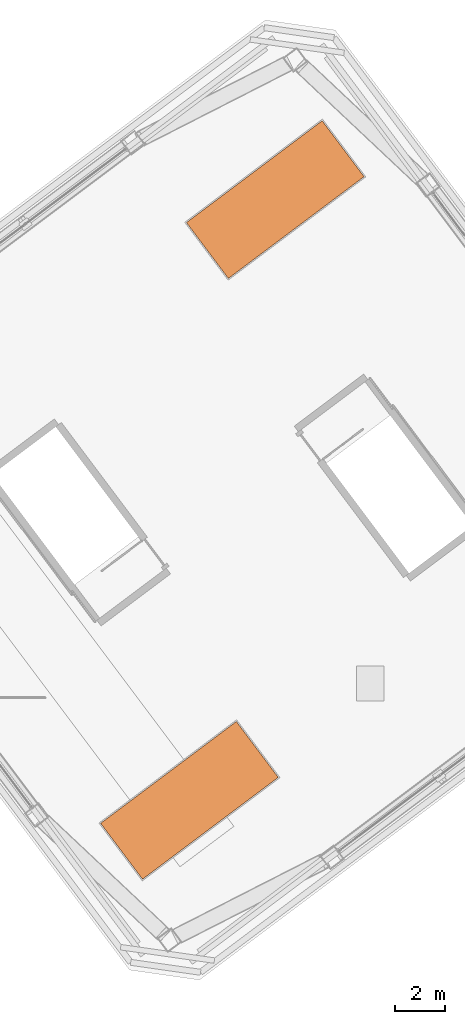
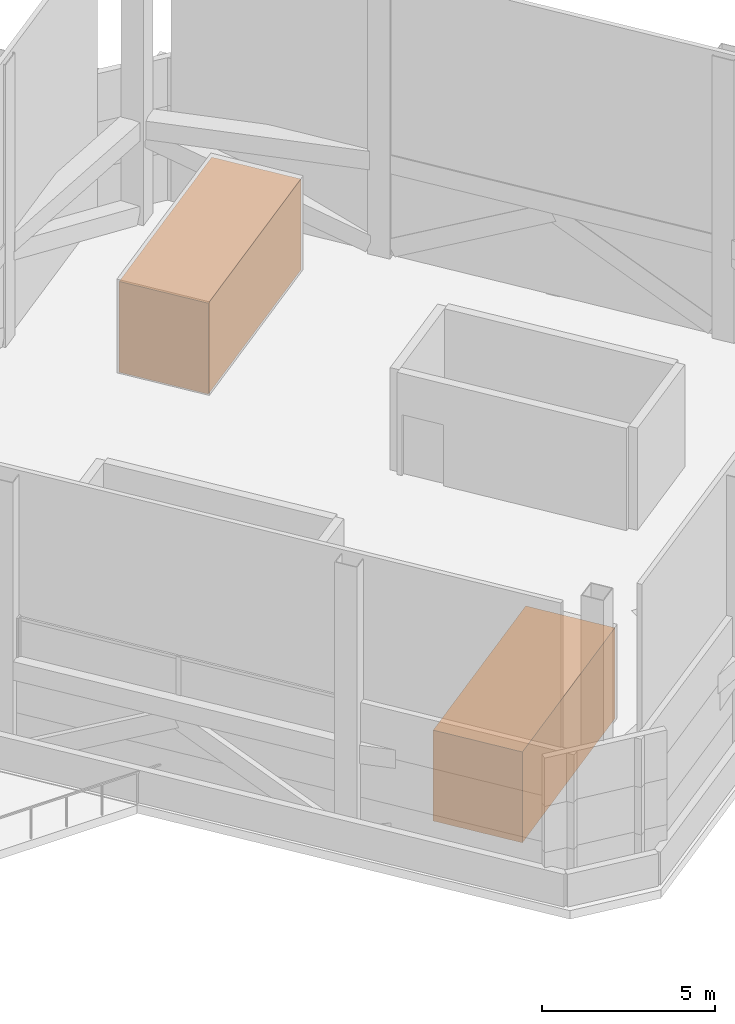
# One storey, part 37 of 37: 2 proxies.
"""IFC4 building model written with IfcOpenShell, lengths in metres."""

from ifc_helpers import new_model, si_unit, direction, frame, origin, origin_2d, place, context, subcontext, project, spatial, rectangle, extrude, material, type_object, element, save


model = new_model("IFC4")

# Units and contexts
model_context = context("Model", 3, precision=1e-05, world=origin(), true_north=direction((0.0, 1.0)))
body_context = subcontext(model_context, "Body", "Model", "MODEL_VIEW")
ifc_project = project(units=[si_unit("LENGTHUNIT", "METRE"), si_unit("AREAUNIT", "SQUARE_METRE"), si_unit("VOLUMEUNIT", "CUBIC_METRE"), si_unit("PLANEANGLEUNIT", "RADIAN"), si_unit("MASSUNIT", "GRAM", prefix="KILO")], contexts=[model_context])

# Site, building, storey
site_placement = place(None, origin())
site = spatial("IfcSite", under=ifc_project, at=site_placement, CompositionType="ELEMENT")
building_placement = place(site_placement, origin())
building = spatial("IfcBuilding", under=site, at=building_placement, Name="Tashvorn Skyway Center", CompositionType="ELEMENT")
storey_placement = place(building_placement, frame((0.0, 0.0, 263.39990234375)))
storey = spatial("IfcBuildingStorey", under=building, at=storey_placement, Name="L71", CompositionType="ELEMENT", Elevation=263.39990234375)

# Proxies
ifc_material = material(Name="Painted galvanized steel equipment", Category="steel")
building_element_proxy_type = type_object("IfcBuildingElementProxyType", Name="EQP-CHILLER", PredefinedType="USERDEFINED", material=ifc_material)
for number, where, z_axis, x_axis, name in (
    (1, (112.280029296875, 19.9599609375, 0.0), (0.0, 0.0, 1.0), (0.799999996291, 0.600000004945, 0.0), "Tower 2 Crown Air-Cooled Chiller Plant 1"),
    (2, (115.719970703125, 44.0400390625, 0.0), (0.0, 0.0, 1.0), (0.799999996291, 0.600000004945, 0.0), "Tower 2 Crown Air-Cooled Chiller Plant 2"),
):
    element("IfcBuildingElementProxy", number, at=place(storey_placement, frame(where, z_axis=z_axis, x_axis=x_axis)), inside=storey, type_object=building_element_proxy_type, Name=name, ObjectType="CHILLER", PredefinedType="USERDEFINED", context=body_context, shape_type="SweptSolid", body=[
        extrude(rectangle(XDim=6.800048828125, YDim=2.800048828125, at=origin_2d()), origin(), (0.0, 0.0, 1.0), 3.199951171875),
    ])

save(model, "model.ifc")
